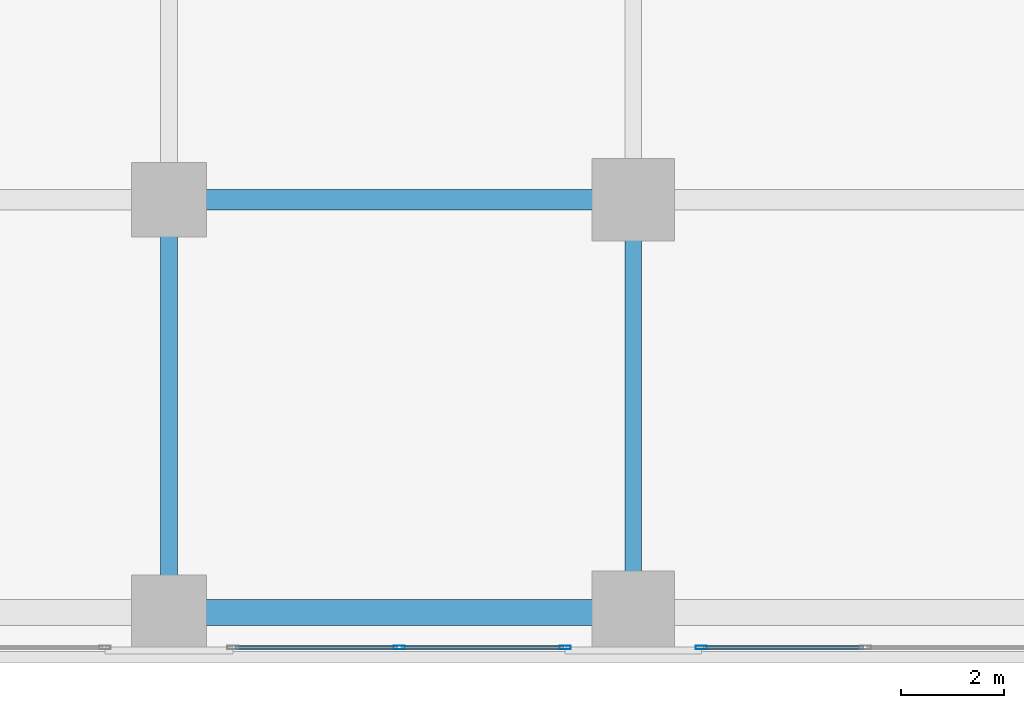
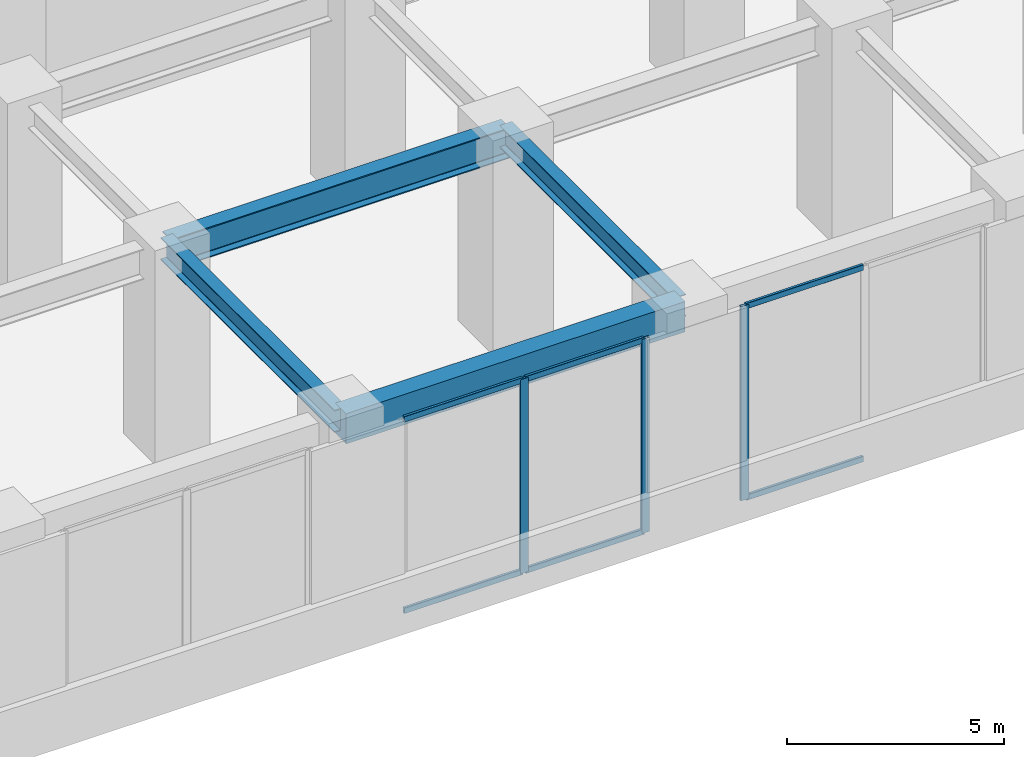
# One storey, part 5 of 34: 9 members, 4 beams, 2 elements without a shape of their own.
"""IFC4 building model written with IfcOpenShell, lengths in metres."""

from ifc_helpers import new_model, si_unit, direction, frame, origin, origin_2d, place, context, subcontext, project, spatial, rectangle, hollow_rectangle, i_section, extrude, source, transform, mapped, material, material_profile, profile_set, type_object, element, aggregate, save


model = new_model("IFC4")

# Units and contexts
model_context = context("Model", 3, precision=1e-05, world=origin(), true_north=direction((0.0, 1.0)))
body_context = subcontext(model_context, "Body", "Model", "MODEL_VIEW")
ifc_project = project(units=[si_unit("LENGTHUNIT", "METRE"), si_unit("AREAUNIT", "SQUARE_METRE"), si_unit("VOLUMEUNIT", "CUBIC_METRE"), si_unit("PLANEANGLEUNIT", "RADIAN"), si_unit("MASSUNIT", "GRAM", prefix="KILO")], contexts=[model_context])

# Site, building, storey
site_placement = place(None, origin())
site = spatial("IfcSite", under=ifc_project, at=site_placement, CompositionType="ELEMENT")
building_placement = place(site_placement, origin())
building = spatial("IfcBuilding", under=site, at=building_placement, Name="Torre Montelarca", CompositionType="ELEMENT")
storey_placement = place(building_placement, frame((0.0, 0.0, 6.0)))
storey = spatial("IfcBuildingStorey", under=building, at=storey_placement, Name="L02", CompositionType="ELEMENT", Elevation=6.0)

# Beams
ifc_material_1 = material(Name="Concrete C55/67", Category="concrete")
ifc_material_profile_1 = material_profile(ifc_material_1, rectangle(XDim=0.5, YDim=0.85009765625, at=origin_2d()), Name="RCB500X850", Category="concrete")
ifc_profile_set_1 = profile_set([ifc_material_profile_1], Name="Concrete C55/67")
beam_type_1 = type_object("IfcBeamType", Name="BM-SP-RC850-EXT", PredefinedType="SPANDREL", material=ifc_profile_set_1)
shared_shape_1 = source(origin(), body_context, "Body", "SweptSolid", [
    extrude(rectangle(XDim=0.5, YDim=0.85009765625, at=origin_2d()), origin(), (0.0, 0.0, 1.0), 9.0),
])
beam_1_placement = place(storey_placement, frame((18.0, 0.0, 5.31494140625), z_axis=(1.0, 0.0, 0.0), x_axis=(0.0, 1.0, 0.0)))
element("IfcBeam", 1, at=beam_1_placement, inside=storey, type_object=beam_type_1, Name="L02 Grid Girder X 18.0-27.0 at Y=0.0", PredefinedType="SPANDREL", context=body_context, shape_type="MappedRepresentation", body=[
    mapped(shared_shape_1, transform((0.0, 0.0, 0.0), scale=1.0)),
])
ifc_material_2 = material(Name="Steel ASTM A992 Grade 50", Category="steel")
ifc_material_profile_2 = material_profile(ifc_material_2, i_section(OverallWidth=0.39990234375, OverallDepth=0.85498046875, WebThickness=0.018310546875, FlangeThickness=0.029296875, FilletRadius=0.02001953125, at=origin_2d()), Name="W840X299", Category="steel")
ifc_profile_set_2 = profile_set([ifc_material_profile_2], Name="Steel ASTM A992 Grade 50")
beam_type_2 = type_object("IfcBeamType", Name="BM-G-W840", PredefinedType="BEAM", material=ifc_profile_set_2)
shared_shape_2 = source(origin(), body_context, "Body", "SweptSolid", [
    extrude(i_section(OverallWidth=0.39990234375, OverallDepth=0.85498046875, WebThickness=0.018310546875, FlangeThickness=0.029296875, FilletRadius=0.02001953125, at=origin_2d()), origin(), (0.0, 0.0, 1.0), 9.0),
])
beam_2_placement = place(storey_placement, frame((18.0, 8.0, 5.31201171875), z_axis=(1.0, 0.0, 0.0), x_axis=(0.0, 1.0, 0.0)))
element("IfcBeam", 2, at=beam_2_placement, inside=storey, type_object=beam_type_2, Name="L02 Grid Girder X 18.0-27.0 at Y=8.0", PredefinedType="BEAM", context=body_context, shape_type="MappedRepresentation", body=[
    mapped(shared_shape_2, transform((0.0, 0.0, 0.0), scale=1.0)),
])
ifc_material_profile_3 = material_profile(ifc_material_2, i_section(OverallWidth=0.326904296875, OverallDepth=0.6220703125, WebThickness=0.015380859375, FlangeThickness=0.0244140625, FilletRadius=0.014892578125, at=origin_2d()), Name="W610X195", Category="steel")
ifc_profile_set_3 = profile_set([ifc_material_profile_3], Name="Steel ASTM A992 Grade 50")
beam_type_3 = type_object("IfcBeamType", Name="BM-G-W610H", PredefinedType="BEAM", material=ifc_profile_set_3)
shared_shape_3 = source(origin(), body_context, "Body", "SweptSolid", [
    extrude(i_section(OverallWidth=0.326904296875, OverallDepth=0.6220703125, WebThickness=0.015380859375, FlangeThickness=0.0244140625, FilletRadius=0.014892578125, at=origin_2d()), origin(), (0.0, 0.0, 1.0), 8.0),
])
for number, where, z_axis, x_axis, name in (
    (3, (18.0, 0.0, 5.428955078125), (0.0, 1.0, 0.0), (-1.0, 0.0, 0.0), "L02 Grid Girder Y 0.0-8.0 at X=18.0"),
    (4, (27.0, 0.0, 5.428955078125), (0.0, 1.0, 0.0), (-1.0, 0.0, 0.0), "L02 Grid Girder Y 0.0-8.0 at X=27.0"),
):
    element("IfcBeam", number, at=place(storey_placement, frame(where, z_axis=z_axis, x_axis=x_axis)), inside=storey, type_object=beam_type_3, Name=name, PredefinedType="BEAM", context=body_context, shape_type="MappedRepresentation", body=[
        mapped(shared_shape_3, transform((0.0, 0.0, 0.0), scale=1.0)),
    ])

# Curtain wall, members
ifc_material_3 = material(Name="Insulated low-E laminated glass", Category="glass")
curtain_wall_type = type_object("IfcCurtainWallType", Name="CW-SYS-POD2", PredefinedType="USERDEFINED", material=ifc_material_3)
curtain_wall_1_placement = place(storey_placement, origin())
curtain_wall_1 = element("IfcCurtainWall", 5, at=curtain_wall_1_placement, inside=storey, type_object=curtain_wall_type, Name="L02 Curtain Wall Run CW-T3-L02-E01-B2", ObjectType="UNITISED GLAZING", PredefinedType="USERDEFINED")
ifc_material_4 = material(Name="Anodised aluminium AA 6063-T6", Category="aluminium")
ifc_material_profile_4 = material_profile(ifc_material_4, hollow_rectangle(XDim=0.074951171875, YDim=0.219970703125, WallThickness=0.0048828125, InnerFilletRadius=0.0048828125, OuterFilletRadius=0.010009765625, at=origin_2d()), Name="ALU75X220X5", Category="aluminium")
ifc_profile_set_4 = profile_set([ifc_material_profile_4], Name="Anodised aluminium AA 6063-T6")
member_type_1 = type_object("IfcMemberType", Name="CWM-ALU220", PredefinedType="MULLION", material=ifc_profile_set_4)
shared_shape_4 = source(origin(), body_context, "Body", "SweptSolid", [
    extrude(hollow_rectangle(XDim=0.074951171875, YDim=0.219970703125, WallThickness=0.0048828125, InnerFilletRadius=0.0048828125, OuterFilletRadius=0.010009765625, at=origin_2d()), origin(), (0.0, 0.0, 1.0), 5.449951171875),
])
member_1_placement = place(storey_placement, frame((22.46240234375, -0.679931640625, 0.0), z_axis=(0.0, 0.0, 1.0), x_axis=(0.0, 1.0, 0.0)))
member_1 = element("IfcMember", 6, at=member_1_placement, type_object=member_type_1, Name="CW mullion 2", PredefinedType="MULLION", context=body_context, shape_type="MappedRepresentation", body=[
    mapped(shared_shape_4, transform((0.0, 0.0, 0.0), scale=1.0)),
])
member_2_placement = place(storey_placement, frame((25.6826171875, -0.679931640625, 0.0), z_axis=(0.0, 0.0, 1.0), x_axis=(0.0, 1.0, 0.0)))
member_2 = element("IfcMember", 7, at=member_2_placement, type_object=member_type_1, Name="CW mullion 3", PredefinedType="MULLION", context=body_context, shape_type="MappedRepresentation", body=[
    mapped(shared_shape_4, transform((0.0, 0.0, 0.0), scale=1.0)),
])

# Curtain wall, member
curtain_wall_2_placement = place(storey_placement, origin())
curtain_wall_2 = element("IfcCurtainWall", 8, at=curtain_wall_2_placement, inside=storey, type_object=curtain_wall_type, Name="L02 Curtain Wall Run CW-T3-L02-E01-B3", ObjectType="UNITISED GLAZING", PredefinedType="USERDEFINED")
member_3_placement = place(storey_placement, frame((28.3173828125, -0.679931640625, 0.0), z_axis=(0.0, 0.0, 1.0), x_axis=(0.0, 1.0, 0.0)))
member_3 = element("IfcMember", 9, at=member_3_placement, type_object=member_type_1, Name="CW mullion 1", PredefinedType="MULLION", context=body_context, shape_type="MappedRepresentation", body=[
    mapped(shared_shape_4, transform((0.0, 0.0, 0.0), scale=1.0)),
])

# Member
ifc_material_profile_5 = material_profile(ifc_material_4, hollow_rectangle(XDim=0.074951171875, YDim=0.159912109375, WallThickness=0.0048828125, InnerFilletRadius=0.0048828125, OuterFilletRadius=0.010009765625, at=origin_2d()), Name="ALU75X160X5", Category="aluminium")
ifc_profile_set_5 = profile_set([ifc_material_profile_5], Name="Anodised aluminium AA 6063-T6")
member_type_2 = type_object("IfcMemberType", Name="CWT-ALU160", PredefinedType="USERDEFINED", material=ifc_profile_set_5)
shared_shape_5 = source(origin(), body_context, "Body", "SweptSolid", [
    extrude(hollow_rectangle(XDim=0.074951171875, YDim=0.159912109375, WallThickness=0.0048828125, InnerFilletRadius=0.0048828125, OuterFilletRadius=0.010009765625, at=origin_2d()), origin(), (0.0, 0.0, 1.0), 3.14501953125),
])
member_4_placement = place(storey_placement, frame((19.280029296875, -0.679931640625, 0.03759765625), z_axis=(1.0, 0.0, 0.0), x_axis=(0.0, 1.0, 0.0)))
member_4 = element("IfcMember", 10, at=member_4_placement, type_object=member_type_2, Name="CW transom 1.1", ObjectType="TRANSOM", PredefinedType="USERDEFINED", context=body_context, shape_type="MappedRepresentation", body=[
    mapped(shared_shape_5, transform((0.0, 0.0, 0.0), scale=1.0)),
])

member_5_placement = place(storey_placement, frame((19.280029296875, -0.679931640625, 5.41259765625), z_axis=(1.0, 0.0, 0.0), x_axis=(0.0, 1.0, 0.0)))
member_5 = element("IfcMember", 11, at=member_5_placement, type_object=member_type_2, Name="CW transom 1.2", ObjectType="TRANSOM", PredefinedType="USERDEFINED", context=body_context, shape_type="MappedRepresentation", body=[
    mapped(shared_shape_5, transform((0.0, 0.0, 0.0), scale=1.0)),
])

member_6_placement = place(storey_placement, frame((22.5, -0.679931640625, 0.03759765625), z_axis=(1.0, 0.0, 0.0), x_axis=(0.0, 1.0, 0.0)))
member_6 = element("IfcMember", 12, at=member_6_placement, type_object=member_type_2, Name="CW transom 2.1", ObjectType="TRANSOM", PredefinedType="USERDEFINED", context=body_context, shape_type="MappedRepresentation", body=[
    mapped(shared_shape_5, transform((0.0, 0.0, 0.0), scale=1.0)),
])

member_7_placement = place(storey_placement, frame((22.5, -0.679931640625, 5.41259765625), z_axis=(1.0, 0.0, 0.0), x_axis=(0.0, 1.0, 0.0)))
member_7 = element("IfcMember", 13, at=member_7_placement, type_object=member_type_2, Name="CW transom 2.2", ObjectType="TRANSOM", PredefinedType="USERDEFINED", context=body_context, shape_type="MappedRepresentation", body=[
    mapped(shared_shape_5, transform((0.0, 0.0, 0.0), scale=1.0)),
])

aggregate(curtain_wall_1, [member_1, member_2, member_4, member_5, member_6, member_7])

shared_shape_6 = source(origin(), body_context, "Body", "SweptSolid", [
    extrude(hollow_rectangle(XDim=0.074951171875, YDim=0.159912109375, WallThickness=0.0048828125, InnerFilletRadius=0.0048828125, OuterFilletRadius=0.010009765625, at=origin_2d()), origin(), (0.0, 0.0, 1.0), 3.107421875),
])
member_8_placement = place(storey_placement, frame((28.35498046875, -0.679931640625, 0.03759765625), z_axis=(1.0, 0.0, 0.0), x_axis=(0.0, 1.0, 0.0)))
member_8 = element("IfcMember", 14, at=member_8_placement, type_object=member_type_2, Name="CW transom 1.1", ObjectType="TRANSOM", PredefinedType="USERDEFINED", context=body_context, shape_type="MappedRepresentation", body=[
    mapped(shared_shape_6, transform((0.0, 0.0, 0.0), scale=1.0)),
])

member_9_placement = place(storey_placement, frame((28.35498046875, -0.679931640625, 5.41259765625), z_axis=(1.0, 0.0, 0.0), x_axis=(0.0, 1.0, 0.0)))
member_9 = element("IfcMember", 15, at=member_9_placement, type_object=member_type_2, Name="CW transom 1.2", ObjectType="TRANSOM", PredefinedType="USERDEFINED", context=body_context, shape_type="MappedRepresentation", body=[
    mapped(shared_shape_6, transform((0.0, 0.0, 0.0), scale=1.0)),
])

aggregate(curtain_wall_2, [member_3, member_8, member_9])

save(model, "model.ifc")
